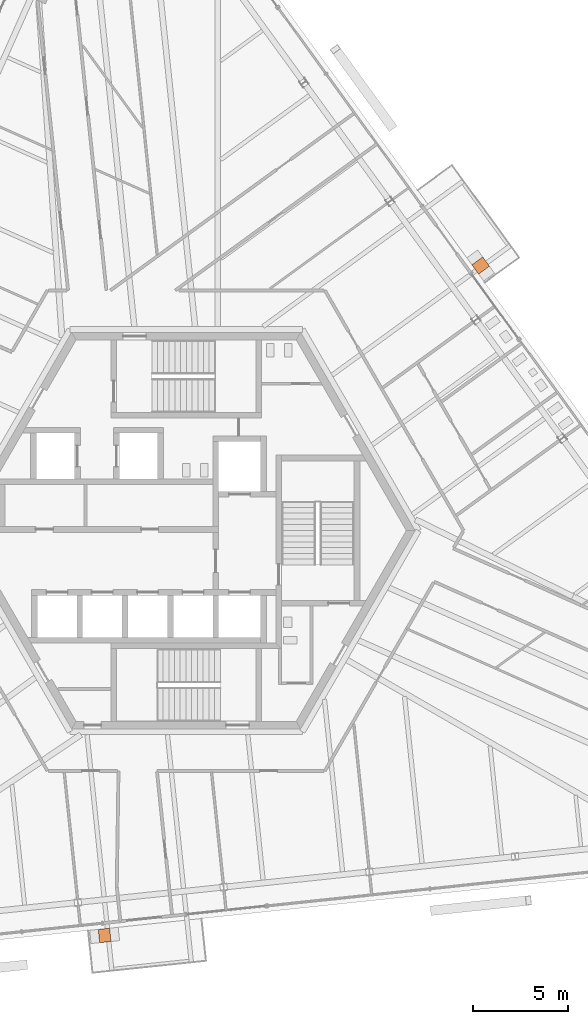
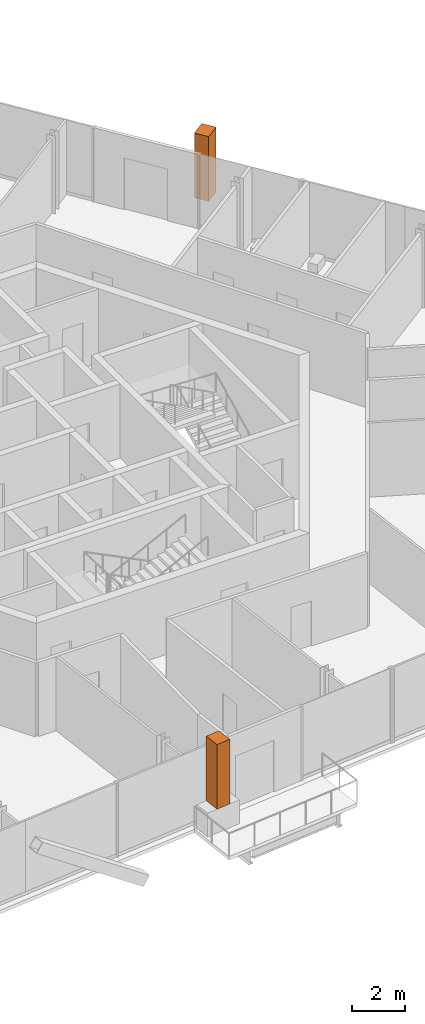
# One storey, part 19 of 19: 2 geographic elements.
"""IFC4 building model written with IfcOpenShell, lengths in metres."""

import ifcopenshell
import ifcopenshell.guid

model = None  # the IFC model being written
_history = None  # IfcOwnerHistory: only IFC2X3 demands one
_inside = {}  # id of a spatial element -> (the spatial element, [elements in it])
_under = {}  # id of a project, library or spatial element -> (it, [spatial elements below it])
_declared = {}  # id of a project -> (the project, [libraries it declares])
_typed = {}  # id of a type object -> (the type object, [elements of that type])
_made_of = {}  # id of a material, layer set ... -> (it, [elements and type objects made of it])


def new_model(schema):
    """Start an empty IFC model of exactly this schema.

    Asked for "IFC4X3", IfcOpenShell would pick the latest addendum, in which some entities
    have other attributes; the version numbers below select the first issue.
    IFC2X3 requires an IfcOwnerHistory on every rooted entity: one is made here for all.
    """
    global model, _history
    if schema == "IFC4X3":
        model = ifcopenshell.file(schema_version=(4, 3, 0, 0))
    else:
        model = ifcopenshell.file(schema=schema)
    _inside.clear()
    _under.clear()
    _declared.clear()
    _typed.clear()
    _made_of.clear()
    _history = None
    if model.schema == "IFC2X3":
        org = make("IfcOrganization", Name="unknown")
        user = make(
            "IfcPersonAndOrganization",
            ThePerson=make("IfcPerson", FamilyName="unknown"),
            TheOrganization=org,
        )
        app = make(
            "IfcApplication",
            ApplicationDeveloper=org,
            Version="unknown",
            ApplicationFullName="unknown",
            ApplicationIdentifier="unknown",
        )
        _history = make(
            "IfcOwnerHistory",
            OwningUser=user,
            OwningApplication=app,
            ChangeAction="ADDED",
            CreationDate=0,
        )
    return model


def make(cls, **values):
    """One entity of the class cls with the attributes given. An attribute that is None is left unset."""
    return model.create_entity(
        cls, **{name: value for name, value in values.items() if value is not None}
    )


def rooted(cls, **values):
    """An entity with a GlobalId (a new one), such as an element, a storey or a relation."""
    return make(cls, GlobalId=ifcopenshell.guid.new(), OwnerHistory=_history, **values)


def si_unit(unit_type, name, prefix=None):
    """IfcSIUnit, for example si_unit("LENGTHUNIT", "METRE", prefix="MILLI")."""
    return make("IfcSIUnit", UnitType=unit_type, Prefix=prefix, Name=name)


def assignment(units):
    """IfcUnitAssignment: the units of a project."""
    return None if units is None else make("IfcUnitAssignment", Units=units)


def point(xyz):
    """IfcCartesianPoint."""
    return None if xyz is None else make("IfcCartesianPoint", Coordinates=xyz)


def direction(xyz):
    """IfcDirection."""
    return None if xyz is None else make("IfcDirection", DirectionRatios=xyz)


def frame(location, z_axis=None, x_axis=None):
    """IfcAxis2Placement3D, a coordinate frame: its origin and axes. An axis left out is left unset."""
    return make(
        "IfcAxis2Placement3D",
        Location=point(location),
        Axis=direction(z_axis),
        RefDirection=direction(x_axis),
    )


def frame_2d(location, x_axis=None):
    """IfcAxis2Placement2D, a coordinate frame in the plane: its origin and x axis."""
    return make(
        "IfcAxis2Placement2D", Location=point(location), RefDirection=direction(x_axis)
    )


def origin():
    """The frame at (0, 0, 0) with its axes left unset."""
    return frame((0.0, 0.0, 0.0))


def origin_2d():
    """The frame at (0, 0) in the plane with its x axis left unset."""
    return frame_2d((0.0, 0.0))


def place(relative_to, where):
    """IfcLocalPlacement: puts the frame where relative to a parent placement (None: the world)."""
    return make(
        "IfcLocalPlacement", PlacementRelTo=relative_to, RelativePlacement=where
    )


def context(
    kind, dimensions, precision=None, world=None, true_north=None, identifier=None
):
    """IfcGeometricRepresentationContext, for example the 3D "Model" context."""
    return make(
        "IfcGeometricRepresentationContext",
        ContextIdentifier=identifier,
        ContextType=kind,
        CoordinateSpaceDimension=dimensions,
        Precision=precision,
        WorldCoordinateSystem=world,
        TrueNorth=true_north,
    )


def subcontext(parent, identifier, kind, view, scale=None):
    """IfcGeometricRepresentationSubContext, for example "Body" below "Model"."""
    return make(
        "IfcGeometricRepresentationSubContext",
        ContextIdentifier=identifier,
        ContextType=kind,
        ParentContext=parent,
        TargetScale=scale,
        TargetView=view,
    )


def project(units=None, contexts=None):
    """IfcProject with its units and contexts."""
    return rooted(
        "IfcProject",
        Name="project",
        RepresentationContexts=contexts,
        UnitsInContext=assignment(units),
    )


def spatial(cls, under=None, at=None, **own):
    """A site, building, storey or space (cls), placed at a placement, below another one or the project."""
    s = rooted(cls, ObjectPlacement=at, **own)
    if under is not None:
        _under.setdefault(under.id(), (under, []))[1].append(s)
    return s


def profile(cls, at=None, kind="AREA", **sizes):
    """A parametric profile (cls). Its sizes go by their IFC names, for example OverallWidth=200.0."""
    return make(cls, ProfileType=kind, Position=at, **sizes)


def rectangle(**sizes):
    """IfcRectangleProfileDef."""
    return profile("IfcRectangleProfileDef", **sizes)


def extrude(swept, where, along, depth):
    """IfcExtrudedAreaSolid: the profile swept, set in the frame where, extruded along a direction by depth."""
    return make(
        "IfcExtrudedAreaSolid",
        SweptArea=swept,
        Position=where,
        ExtrudedDirection=direction(along),
        Depth=depth,
    )


def shape(context_of_items, identifier, shape_type, items):
    """IfcShapeRepresentation: the items that make up one representation, for example the "Body"."""
    return make(
        "IfcShapeRepresentation",
        ContextOfItems=context_of_items,
        RepresentationIdentifier=identifier,
        RepresentationType=shape_type,
        Items=items,
    )


def source(mapping_origin, context_of_items, identifier, shape_type, items):
    """IfcRepresentationMap: a shape defined once, which mapped items show again and again."""
    return make(
        "IfcRepresentationMap",
        MappingOrigin=mapping_origin,
        MappedRepresentation=shape(context_of_items, identifier, shape_type, items),
    )


def transform(
    local_origin,
    x_axis=None,
    y_axis=None,
    z_axis=None,
    scale=None,
    scale2=None,
    scale3=None,
    uniform=True,
):
    """IfcCartesianTransformationOperator3D, or its non-uniform kind. x_axis, y_axis, z_axis: its Axis1, 2, 3."""
    if uniform:
        return make(
            "IfcCartesianTransformationOperator3D",
            Axis1=direction(x_axis),
            Axis2=direction(y_axis),
            LocalOrigin=point(local_origin),
            Scale=scale,
            Axis3=direction(z_axis),
        )
    return make(
        "IfcCartesianTransformationOperator3DnonUniform",
        Axis1=direction(x_axis),
        Axis2=direction(y_axis),
        LocalOrigin=point(local_origin),
        Scale=scale,
        Axis3=direction(z_axis),
        Scale2=scale2,
        Scale3=scale3,
    )


def mapped(mapping_source, mapping_target):
    """IfcMappedItem: shows the shape of a source again, moved by a transform."""
    return make(
        "IfcMappedItem", MappingSource=mapping_source, MappingTarget=mapping_target
    )


def material(Name=None, Category=None):
    """IfcMaterial."""
    return make("IfcMaterial", Name=Name, Category=Category)


def made_of(thing, what):
    """Note that an element or type object is made of a material, layer set ...; save() writes the relation."""
    if what is not None:
        _made_of.setdefault(what.id(), (what, []))[1].append(thing)
    return thing


def type_object(cls, material=None, **own):
    """A type object (cls), such as IfcWallType, which elements share."""
    return made_of(rooted(cls, **own), material)


def element(
    cls,
    number,
    at=None,
    inside=None,
    cuts=None,
    type_object=None,
    material=None,
    context=None,
    identifier="Body",
    shape_type=None,
    held_by="IfcProductDefinitionShape",
    body=None,
    shapes=None,
    **own,
):
    """One element of the class cls, such as IfcWall. Its Tag is "e" and its number.

    at: its placement. inside: the storey or other place that contains it. cuts: it is an
    opening in that element (IfcRelVoidsElement). A single representation is given by context,
    identifier, shape_type and body (its items); several are given by shapes. held_by: the class
    of the entity that holds the representations. save() writes the other relations.
    """
    e = rooted(cls, Tag="e%d" % number, ObjectPlacement=at, **own)
    if body is not None:
        shapes = [shape(context, identifier, shape_type, body)]
    if shapes is not None:
        e.Representation = make(held_by, Representations=shapes)
    if inside is not None:
        _inside.setdefault(inside.id(), (inside, []))[1].append(e)
    if cuts is not None:
        rooted(
            "IfcRelVoidsElement", RelatingBuildingElement=cuts, RelatedOpeningElement=e
        )
    if type_object is not None:
        _typed.setdefault(type_object.id(), (type_object, []))[1].append(e)
    return made_of(e, material)


def aggregate(whole, parts):
    """IfcRelAggregates: a whole, such as a stair, and the parts it consists of."""
    return rooted("IfcRelAggregates", RelatingObject=whole, RelatedObjects=parts)


def save(model, path):
    """Write the relations noted so far, then the file.

    IfcRelAggregates (storeys below a building ...), IfcRelContainedInSpatialStructure (elements
    in a storey), IfcRelDefinesByType, IfcRelAssociatesMaterial and IfcRelDeclares: one each for
    every whole, place, type object, material and project.
    """
    for whole, parts in _under.values():
        aggregate(whole, parts)
    for where, things in _inside.values():
        rooted(
            "IfcRelContainedInSpatialStructure",
            RelatedElements=things,
            RelatingStructure=where,
        )
    for kind, things in _typed.values():
        rooted("IfcRelDefinesByType", RelatedObjects=things, RelatingType=kind)
    for what, things in _made_of.values():
        rooted("IfcRelAssociatesMaterial", RelatedObjects=things, RelatingMaterial=what)
    for by, libraries in _declared.values():
        rooted("IfcRelDeclares", RelatingContext=by, RelatedDefinitions=libraries)
    model.write(path)


model = new_model("IFC4")

# Units and contexts
model_context = context("Model", 3, precision=1e-05, world=origin(), true_north=direction((0.0, 1.0)))
body_context = subcontext(model_context, "Body", "Model", "MODEL_VIEW")
ifc_project = project(units=[si_unit("LENGTHUNIT", "METRE"), si_unit("AREAUNIT", "SQUARE_METRE"), si_unit("VOLUMEUNIT", "CUBIC_METRE"), si_unit("PLANEANGLEUNIT", "RADIAN"), si_unit("MASSUNIT", "GRAM", prefix="KILO")], contexts=[model_context])

# Site, building, storey
site_placement = place(None, origin())
site = spatial("IfcSite", under=ifc_project, at=site_placement, CompositionType="ELEMENT")
building_placement = place(site_placement, origin())
building = spatial("IfcBuilding", under=site, at=building_placement, Name="Triune Harvest Tower", CompositionType="ELEMENT")
storey_placement = place(building_placement, frame((0.0, 0.0, 244.89990234375)))
storey = spatial("IfcBuildingStorey", under=building, at=storey_placement, Name="L64", CompositionType="ELEMENT", Elevation=244.89990234375)

# Geographic elements
ifc_material = material(Name="TREE-1 tree")
geographic_element_type = type_object("IfcGeographicElementType", Name="TREE-1 tree", PredefinedType="USERDEFINED", material=ifc_material)
shared_shape = source(origin(), body_context, "Body", "SweptSolid", [
    extrude(rectangle(XDim=0.60009765625, YDim=0.699951171875, at=origin_2d()), origin(), (0.0, 0.0, 1.0), 3.0),
])
for number, where, z_axis, x_axis, name in (
    (1, (15.435791015625, 13.892578125, 1.10009765625), (0.0, 0.0, 1.0), (-0.587785672066, 0.809016689391, 0.0), "Tree B6-F1 L64.7a"),
    (2, (-4.272216796875, -21.21630859375, 1.10009765625), (0.0, 0.0, 1.0), (0.994521747579, 0.104529869379, 0.0), "Tree B6-F5 L64.5a"),
):
    element("IfcGeographicElement", number, at=place(storey_placement, frame(where, z_axis=z_axis, x_axis=x_axis)), inside=storey, type_object=geographic_element_type, Name=name, ObjectType="TREE", PredefinedType="USERDEFINED", context=body_context, shape_type="MappedRepresentation", body=[
        mapped(shared_shape, transform((0.0, 0.0, 0.0), scale=1.0)),
    ])

save(model, "model.ifc")
